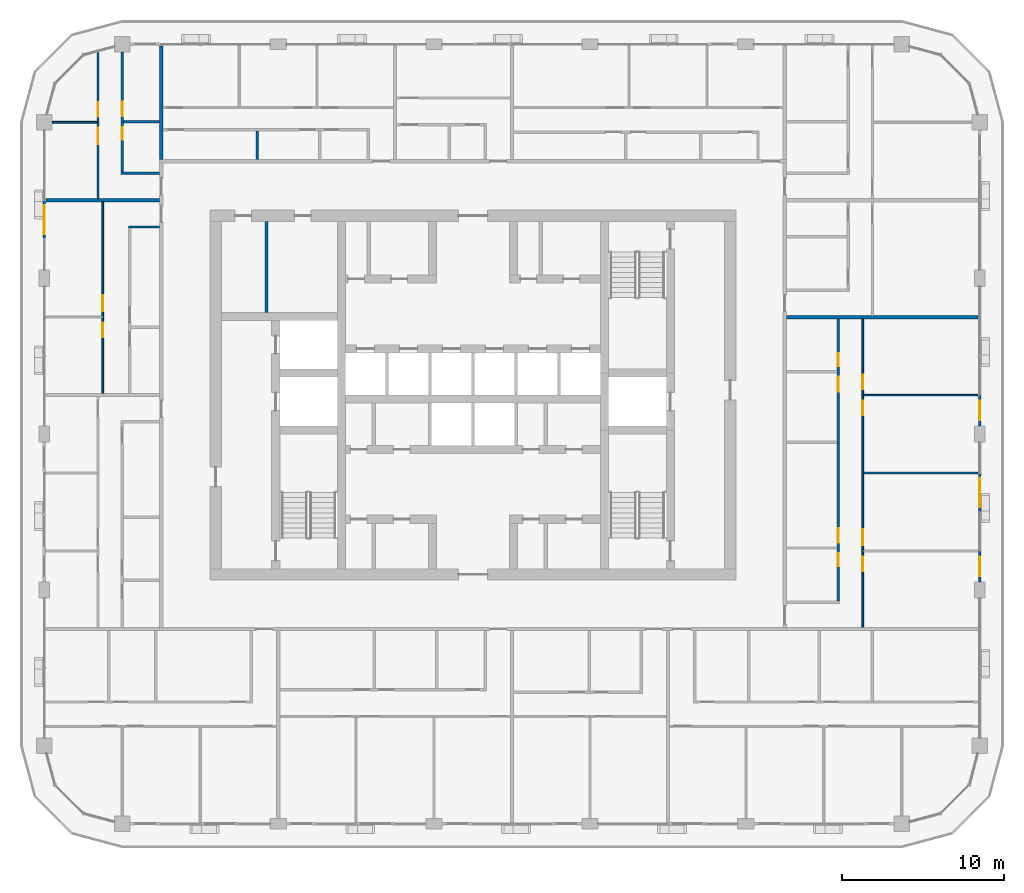
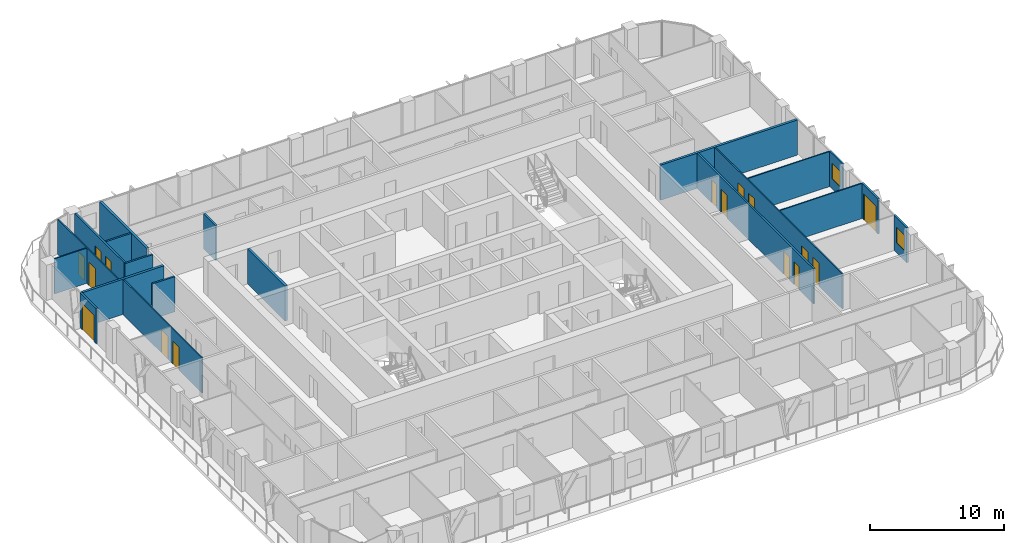
# One storey, part 13 of 22: 20 walls, 16 doors, 2 windows, 18 openings.
"""IFC4 building model written with IfcOpenShell, lengths in metres."""

from ifc_helpers import new_model, si_unit, direction, frame, frame_2d, origin, place, context, subcontext, project, spatial, rectangle, extrude, material, layer, layer_set, type_object, element, fill, save


model = new_model("IFC4")

# Units and contexts
model_context = context("Model", 3, precision=1e-05, world=origin(), true_north=direction((0.0, 1.0)))
body_context = subcontext(model_context, "Body", "Model", "MODEL_VIEW")
ifc_project = project(units=[si_unit("LENGTHUNIT", "METRE"), si_unit("AREAUNIT", "SQUARE_METRE"), si_unit("VOLUMEUNIT", "CUBIC_METRE"), si_unit("PLANEANGLEUNIT", "RADIAN"), si_unit("MASSUNIT", "GRAM", prefix="KILO")], contexts=[model_context])

# Site, building, storey
site_placement = place(None, origin())
site = spatial("IfcSite", under=ifc_project, at=site_placement, CompositionType="ELEMENT")
building_placement = place(site_placement, origin())
building = spatial("IfcBuilding", under=site, at=building_placement, Name="Madar Terraces", CompositionType="ELEMENT")
storey_placement = place(building_placement, frame((0.0, 0.0, 178.89990234375)))
storey = spatial("IfcBuildingStorey", under=building, at=storey_placement, Name="L46", CompositionType="ELEMENT", Elevation=178.89990234375)

# Wall
ifc_material_1 = material(Name="Masonry blockwork", Category="masonry")
ifc_layer_1 = layer(ifc_material_1, 0.199951171875)
ifc_layer_set_1 = layer_set([ifc_layer_1], Name="Core partition 200 blockwork")
wall_type_1 = type_object("IfcWallType", Name="Core partition 200 blockwork", PredefinedType="PARTITIONING", material=ifc_layer_set_1)
wall_1_placement = place(storey_placement, frame((18.488525390625, 31.5, 0.0), z_axis=(0.0, 0.0, 1.0), x_axis=(0.0, 1.0, 0.0)))
element("IfcWall", 1, at=wall_1_placement, inside=storey, type_object=wall_type_1, Name="SERVICE ROOM PARTITION", PredefinedType="PARTITIONING", context=body_context, shape_type="SweptSolid", body=[
    extrude(rectangle(XDim=5.60009765625, YDim=0.199951171875, at=frame_2d((2.800048828125, 0.0))), origin(), (0.0, 0.0, 1.0), 3.2001953125),
])

# Wall, opening, window
ifc_material_2 = material(Name="Aluminium composite panel, black, over insulated backing", Category="aluminium")
ifc_layer_2 = layer(ifc_material_2, 0.14990234375)
ifc_layer_set_2 = layer_set([ifc_layer_2], Name="Facade bay panel 150")
wall_type_2 = type_object("IfcWallType", Name="Facade bay panel 150", PredefinedType="SOLIDWALL", material=ifc_layer_set_2)
wall_2_placement = place(storey_placement, frame((62.39990234375, 14.89990234375, 0.0), z_axis=(0.0, 0.0, 1.0), x_axis=(0.0, 1.0, 0.0)))
wall_2 = element("IfcWall", 2, at=wall_2_placement, inside=storey, type_object=wall_type_2, Name="Facade bay panel", PredefinedType="SOLIDWALL", context=body_context, shape_type="SweptSolid", body=[
    extrude(rectangle(XDim=1.900146484375, YDim=0.14990234375, at=frame_2d((0.9501953125, 0.0))), origin(), (0.0, 0.0, 1.0), 3.2001953125),
])
opening_1_placement = place(wall_2_placement, frame((0.35009765625, 0.0, 0.89990234375)))
opening_1 = element("IfcOpeningElement", 3, at=opening_1_placement, cuts=wall_2, Name="Opening W1", PredefinedType="OPENING", context=body_context, shape_type="SweptSolid", body=[
    extrude(rectangle(XDim=1.199951171875, YDim=1.39990234375, at=frame_2d((0.60009765625, 0.699951171875))), frame((0.0, 0.0849609375, 0.0), z_axis=(0.0, -1.0, 0.0), x_axis=(1.0, 0.0, 0.0)), (0.0, 0.0, 1.0), 0.169921875),
])
ifc_material_3 = material(Name="Glass, clear, with black aluminium frame", Category="aluminium")
window_type = type_object("IfcWindowType", Name="Vent window 1200 x 1400", PartitioningType="SINGLE_PANEL", PredefinedType="WINDOW", material=ifc_material_3)
window_1_placement = place(opening_1_placement, origin())
window_1 = element("IfcWindow", 4, at=window_1_placement, inside=storey, type_object=window_type, Name="Operable vent window", OverallHeight=1.39990234375, OverallWidth=1.199951171875, PartitioningType="SINGLE_PANEL", PredefinedType="WINDOW", context=body_context, shape_type="SweptSolid", body=[
    extrude(rectangle(XDim=1.199951171875, YDim=1.39990234375, at=frame_2d((0.60009765625, 0.699951171875))), frame((0.0, 0.030029296875, 0.0), z_axis=(0.0, -1.0, 0.0), x_axis=(1.0, 0.0, 0.0)), (0.0, 0.0, 1.0), 0.06005859375),
])
fill(opening_1, window_1)

# Wall, opening, door
wall_3_placement = place(storey_placement, frame((62.39990234375, 19.199951171875, 0.0), z_axis=(0.0, 0.0, 1.0), x_axis=(0.0, 1.0, 0.0)))
wall_3 = element("IfcWall", 5, at=wall_3_placement, inside=storey, type_object=wall_type_2, Name="Facade bay panel", PredefinedType="SOLIDWALL", context=body_context, shape_type="SweptSolid", body=[
    extrude(rectangle(XDim=2.400146484375, YDim=0.14990234375, at=frame_2d((1.2001953125, 0.0))), origin(), (0.0, 0.0, 1.0), 3.2001953125),
])
opening_2_placement = place(wall_3_placement, frame((0.300048828125, 0.0, 0.0)))
opening_2 = element("IfcOpeningElement", 6, at=opening_2_placement, cuts=wall_3, Name="Opening ED1", PredefinedType="OPENING", context=body_context, shape_type="SweptSolid", body=[
    extrude(rectangle(XDim=1.800048828125, YDim=2.39990234375, at=frame_2d((0.89990234375, 1.199951171875))), frame((0.0, 0.0849609375, 0.0), z_axis=(0.0, -1.0, 0.0), x_axis=(1.0, 0.0, 0.0)), (0.0, 0.0, 1.0), 0.169921875),
])
ifc_material_4 = material(Name="Glass, clear, with black aluminium frame", Category="aluminium")
door_type_1 = type_object("IfcDoorType", Name="Balcony and terrace sliding door 1800 x 2400", OperationType="SLIDING_TO_LEFT", PredefinedType="DOOR", material=ifc_material_4)
door_1_placement = place(opening_2_placement, origin())
door_1 = element("IfcDoor", 7, at=door_1_placement, inside=storey, type_object=door_type_1, Name="Balcony door", OperationType="SLIDING_TO_RIGHT", OverallHeight=2.39990234375, OverallWidth=1.800048828125, PredefinedType="DOOR", context=body_context, shape_type="SweptSolid", body=[
    extrude(rectangle(XDim=1.800048828125, YDim=2.39990234375, at=frame_2d((0.89990234375, 1.199951171875))), frame((0.0, 0.02490234375, 0.0), z_axis=(0.0, -1.0, 0.0), x_axis=(1.0, 0.0, 0.0)), (0.0, 0.0, 1.0), 0.050048828125),
])
fill(opening_2, door_1)

# Wall, opening, window
wall_4_placement = place(storey_placement, frame((62.39990234375, 24.5, 0.0), z_axis=(0.0, 0.0, 1.0), x_axis=(0.0, 1.0, 0.0)))
wall_4 = element("IfcWall", 8, at=wall_4_placement, inside=storey, type_object=wall_type_2, Name="Facade bay panel", PredefinedType="SOLIDWALL", context=body_context, shape_type="SweptSolid", body=[
    extrude(rectangle(XDim=1.89990234375, YDim=0.14990234375, at=frame_2d((0.949951171875, 0.0))), origin(), (0.0, 0.0, 1.0), 3.2001953125),
])
opening_3_placement = place(wall_4_placement, frame((0.35009765625, 0.0, 0.89990234375)))
opening_3 = element("IfcOpeningElement", 9, at=opening_3_placement, cuts=wall_4, Name="Opening W1", PredefinedType="OPENING", context=body_context, shape_type="SweptSolid", body=[
    extrude(rectangle(XDim=1.199951171875, YDim=1.39990234375, at=frame_2d((0.60009765625, 0.699951171875))), frame((0.0, 0.0849609375, 0.0), z_axis=(0.0, -1.0, 0.0), x_axis=(1.0, 0.0, 0.0)), (0.0, 0.0, 1.0), 0.169921875),
])
window_2_placement = place(opening_3_placement, origin())
window_2 = element("IfcWindow", 10, at=window_2_placement, inside=storey, type_object=window_type, Name="Operable vent window", OverallHeight=1.39990234375, OverallWidth=1.199951171875, PartitioningType="SINGLE_PANEL", PredefinedType="WINDOW", context=body_context, shape_type="SweptSolid", body=[
    extrude(rectangle(XDim=1.199951171875, YDim=1.39990234375, at=frame_2d((0.60009765625, 0.699951171875))), frame((0.0, 0.030029296875, 0.0), z_axis=(0.0, -1.0, 0.0), x_axis=(1.0, 0.0, 0.0)), (0.0, 0.0, 1.0), 0.06005859375),
])
fill(opening_3, window_2)

# Wall, opening, door
wall_5_placement = place(storey_placement, frame((4.800048828125, 38.39990234375, 0.0), z_axis=(0.0, 0.0, 1.0), x_axis=(0.0, -1.0, 0.0)))
wall_5 = element("IfcWall", 11, at=wall_5_placement, inside=storey, type_object=wall_type_2, Name="Facade bay panel", PredefinedType="SOLIDWALL", context=body_context, shape_type="SweptSolid", body=[
    extrude(rectangle(XDim=2.39990234375, YDim=0.14990234375, at=frame_2d((1.199951171875, 0.0))), origin(), (0.0, 0.0, 1.0), 3.2001953125),
])
opening_4_placement = place(wall_5_placement, frame((0.300048828125, 0.0, 0.0)))
opening_4 = element("IfcOpeningElement", 12, at=opening_4_placement, cuts=wall_5, Name="Opening ED1", PredefinedType="OPENING", context=body_context, shape_type="SweptSolid", body=[
    extrude(rectangle(XDim=1.800048828125, YDim=2.39990234375, at=frame_2d((0.89990234375, 1.199951171875))), frame((0.0, 0.0849609375, 0.0), z_axis=(0.0, -1.0, 0.0), x_axis=(1.0, 0.0, 0.0)), (0.0, 0.0, 1.0), 0.169921875),
])
door_2_placement = place(opening_4_placement, origin())
door_2 = element("IfcDoor", 13, at=door_2_placement, inside=storey, type_object=door_type_1, Name="Balcony door", OperationType="SLIDING_TO_RIGHT", OverallHeight=2.39990234375, OverallWidth=1.800048828125, PredefinedType="DOOR", context=body_context, shape_type="SweptSolid", body=[
    extrude(rectangle(XDim=1.800048828125, YDim=2.39990234375, at=frame_2d((0.89990234375, 1.199951171875))), frame((0.0, 0.02490234375, 0.0), z_axis=(0.0, -1.0, 0.0), x_axis=(1.0, 0.0, 0.0)), (0.0, 0.0, 1.0), 0.050048828125),
])
fill(opening_4, door_2)

# Walls
ifc_material_5 = material(Name="Gypsum board on steel studs", Category="steel")
ifc_layer_3 = layer(ifc_material_5, 0.10009765625)
ifc_layer_set_3 = layer_set([ifc_layer_3], Name="Flat partition 100")
wall_type_3 = type_object("IfcWallType", Name="Flat partition 100", PredefinedType="PARTITIONING", material=ifc_layer_set_3)
for number, where, z_axis, x_axis, name in (
    (14, (55.25, 21.60009765625, 0.0), (0.0, 0.0, 1.0), (1.0, 0.0, 0.0), "Flat partition 100"),
    (15, (55.25, 26.39990234375, 0.0), (0.0, 0.0, 1.0), (1.0, 0.0, 0.0), "Flat partition 100"),
):
    element("IfcWall", number, at=place(storey_placement, frame(where, z_axis=z_axis, x_axis=x_axis)), inside=storey, type_object=wall_type_3, Name=name, PredefinedType="PARTITIONING", context=body_context, shape_type="SweptSolid", body=[
        extrude(rectangle(XDim=7.050048828125, YDim=0.10009765625, at=frame_2d((3.52490234375, 0.0))), origin(), (0.0, 0.0, 1.0), 3.2001953125),
    ])

# Wall, openings, doors
wall_6_placement = place(storey_placement, frame((55.199951171875, 31.10009765625, 0.0), z_axis=(0.0, 0.0, 1.0), x_axis=(0.0, -1.0, 0.0)))
wall_6 = element("IfcWall", 16, at=wall_6_placement, inside=storey, type_object=wall_type_3, Name="Flat partition 100", PredefinedType="PARTITIONING", context=body_context, shape_type="SweptSolid", body=[
    extrude(rectangle(XDim=19.0, YDim=0.10009765625, at=frame_2d((9.5, 0.0))), origin(), (0.0, 0.0, 1.0), 3.2001953125),
])
opening_5_placement = place(wall_6_placement, frame((14.64990234375, 0.0, 0.0)))
opening_5 = element("IfcOpeningElement", 17, at=opening_5_placement, cuts=wall_6, Name="Opening D2", PredefinedType="OPENING", context=body_context, shape_type="SweptSolid", body=[
    extrude(rectangle(XDim=0.89990234375, YDim=2.10009765625, at=frame_2d((0.449951171875, 1.050048828125))), frame((0.0, 0.06005859375, 0.0), z_axis=(0.0, -1.0, 0.0), x_axis=(1.0, 0.0, 0.0)), (0.0, 0.0, 1.0), 0.1201171875),
])
opening_6_placement = place(wall_6_placement, frame((12.949951171875, 0.0, 0.0)))
opening_6 = element("IfcOpeningElement", 18, at=opening_6_placement, cuts=wall_6, Name="Opening D3", PredefinedType="OPENING", context=body_context, shape_type="SweptSolid", body=[
    extrude(rectangle(XDim=1.0, YDim=2.10009765625, at=frame_2d((0.5, 1.050048828125))), frame((0.0, 0.06005859375, 0.0), z_axis=(0.0, -1.0, 0.0), x_axis=(1.0, 0.0, 0.0)), (0.0, 0.0, 1.0), 0.1201171875),
])
opening_7_placement = place(wall_6_placement, frame((5.050048828125, 0.0, 0.0)))
opening_7 = element("IfcOpeningElement", 19, at=opening_7_placement, cuts=wall_6, Name="Opening D2", PredefinedType="OPENING", context=body_context, shape_type="SweptSolid", body=[
    extrude(rectangle(XDim=0.89990234375, YDim=2.10009765625, at=frame_2d((0.449951171875, 1.050048828125))), frame((0.0, 0.06005859375, 0.0), z_axis=(0.0, -1.0, 0.0), x_axis=(1.0, 0.0, 0.0)), (0.0, 0.0, 1.0), 0.1201171875),
])
opening_8_placement = place(wall_6_placement, frame((3.449951171875, 0.0, 0.0)))
opening_8 = element("IfcOpeningElement", 20, at=opening_8_placement, cuts=wall_6, Name="Opening D2", PredefinedType="OPENING", context=body_context, shape_type="SweptSolid", body=[
    extrude(rectangle(XDim=0.89990234375, YDim=2.10009765625, at=frame_2d((0.449951171875, 1.050048828125))), frame((0.0, 0.06005859375, 0.0), z_axis=(0.0, -1.0, 0.0), x_axis=(1.0, 0.0, 0.0)), (0.0, 0.0, 1.0), 0.1201171875),
])
ifc_material_6 = material(Name="Timber door leaf", Category="wood")
door_type_2 = type_object("IfcDoorType", Name="Flat living room door 1000", OperationType="NOTDEFINED", PredefinedType="DOOR", material=ifc_material_6)
door_3_placement = place(opening_6_placement, origin())
door_3 = element("IfcDoor", 21, at=door_3_placement, inside=storey, type_object=door_type_2, Name="Flat living room door 1000", OperationType="SINGLE_SWING_RIGHT", OverallHeight=2.10009765625, OverallWidth=1.0, PredefinedType="DOOR", context=body_context, shape_type="SweptSolid", body=[
    extrude(rectangle(XDim=1.0, YDim=2.10009765625, at=frame_2d((0.5, 1.050048828125))), frame((0.0, 0.02490234375, 0.0), z_axis=(0.0, -1.0, 0.0), x_axis=(1.0, 0.0, 0.0)), (0.0, 0.0, 1.0), 0.050048828125),
])
fill(opening_6, door_3)
ifc_material_7 = material(Name="Timber door leaf", Category="wood")
door_type_3 = type_object("IfcDoorType", Name="Flat room door 900", OperationType="NOTDEFINED", PredefinedType="DOOR", material=ifc_material_7)
door_4_placement = place(opening_5_placement, origin())
door_4 = element("IfcDoor", 22, at=door_4_placement, inside=storey, type_object=door_type_3, Name="Flat room door 900", OperationType="SINGLE_SWING_LEFT", OverallHeight=2.10009765625, OverallWidth=0.89990234375, PredefinedType="DOOR", context=body_context, shape_type="SweptSolid", body=[
    extrude(rectangle(XDim=0.89990234375, YDim=2.10009765625, at=frame_2d((0.449951171875, 1.050048828125))), frame((0.0, 0.02490234375, 0.0), z_axis=(0.0, -1.0, 0.0), x_axis=(1.0, 0.0, 0.0)), (0.0, 0.0, 1.0), 0.050048828125),
])
fill(opening_5, door_4)
door_5_placement = place(opening_7_placement, origin())
door_5 = element("IfcDoor", 23, at=door_5_placement, inside=storey, type_object=door_type_3, Name="Flat room door 900", OperationType="SINGLE_SWING_LEFT", OverallHeight=2.10009765625, OverallWidth=0.89990234375, PredefinedType="DOOR", context=body_context, shape_type="SweptSolid", body=[
    extrude(rectangle(XDim=0.89990234375, YDim=2.10009765625, at=frame_2d((0.449951171875, 1.050048828125))), frame((0.0, 0.02490234375, 0.0), z_axis=(0.0, -1.0, 0.0), x_axis=(1.0, 0.0, 0.0)), (0.0, 0.0, 1.0), 0.050048828125),
])
fill(opening_7, door_5)
door_6_placement = place(opening_8_placement, origin())
door_6 = element("IfcDoor", 24, at=door_6_placement, inside=storey, type_object=door_type_3, Name="Flat room door 900", OperationType="SINGLE_SWING_RIGHT", OverallHeight=2.10009765625, OverallWidth=0.89990234375, PredefinedType="DOOR", context=body_context, shape_type="SweptSolid", body=[
    extrude(rectangle(XDim=0.89990234375, YDim=2.10009765625, at=frame_2d((0.449951171875, 1.050048828125))), frame((0.0, 0.02490234375, 0.0), z_axis=(0.0, -1.0, 0.0), x_axis=(1.0, 0.0, 0.0)), (0.0, 0.0, 1.0), 0.050048828125),
])
fill(opening_8, door_6)

# Wall
wall_7_placement = place(storey_placement, frame((8.050048828125, 43.199951171875, 0.0), z_axis=(0.0, 0.0, 1.0), x_axis=(-1.0, 0.0, 0.0)))
element("IfcWall", 25, at=wall_7_placement, inside=storey, type_object=wall_type_3, Name="Flat partition 100", PredefinedType="PARTITIONING", context=body_context, shape_type="SweptSolid", body=[
    extrude(rectangle(XDim=2.775146484375, YDim=0.10009765625, at=frame_2d((1.3876953125, 0.0))), origin(), (0.0, 0.0, 1.0), 3.2001953125),
])

# Wall, openings, doors
wall_8_placement = place(storey_placement, frame((8.10009765625, 38.5, 0.0), z_axis=(0.0, 0.0, 1.0), x_axis=(0.0, 1.0, 0.0)))
wall_8 = element("IfcWall", 26, at=wall_8_placement, inside=storey, type_object=wall_type_3, Name="Flat partition 100", PredefinedType="PARTITIONING", context=body_context, shape_type="SweptSolid", body=[
    extrude(rectangle(XDim=8.998046875, YDim=0.10009765625, at=frame_2d((4.4990234375, 0.0))), origin(), (0.0, 0.0, 1.0), 3.2001953125),
])
opening_9_placement = place(wall_8_placement, frame((3.35009765625, 0.0, 0.0)))
opening_9 = element("IfcOpeningElement", 27, at=opening_9_placement, cuts=wall_8, Name="Opening D3", PredefinedType="OPENING", context=body_context, shape_type="SweptSolid", body=[
    extrude(rectangle(XDim=1.0, YDim=2.10009765625, at=frame_2d((0.5, 1.050048828125))), frame((0.0, 0.06005859375, 0.0), z_axis=(0.0, -1.0, 0.0), x_axis=(1.0, 0.0, 0.0)), (0.0, 0.0, 1.0), 0.1201171875),
])
opening_10_placement = place(wall_8_placement, frame((5.050048828125, 0.0, 0.0)))
opening_10 = element("IfcOpeningElement", 28, at=opening_10_placement, cuts=wall_8, Name="Opening D2", PredefinedType="OPENING", context=body_context, shape_type="SweptSolid", body=[
    extrude(rectangle(XDim=0.89990234375, YDim=2.10009765625, at=frame_2d((0.449951171875, 1.050048828125))), frame((0.0, 0.06005859375, 0.0), z_axis=(0.0, -1.0, 0.0), x_axis=(1.0, 0.0, 0.0)), (0.0, 0.0, 1.0), 0.1201171875),
])
door_7_placement = place(opening_9_placement, origin())
door_7 = element("IfcDoor", 29, at=door_7_placement, inside=storey, type_object=door_type_2, Name="Flat living room door 1000", OperationType="SINGLE_SWING_RIGHT", OverallHeight=2.10009765625, OverallWidth=1.0, PredefinedType="DOOR", context=body_context, shape_type="SweptSolid", body=[
    extrude(rectangle(XDim=1.0, YDim=2.10009765625, at=frame_2d((0.5, 1.050048828125))), frame((0.0, 0.02490234375, 0.0), z_axis=(0.0, -1.0, 0.0), x_axis=(1.0, 0.0, 0.0)), (0.0, 0.0, 1.0), 0.050048828125),
])
fill(opening_9, door_7)
door_8_placement = place(opening_10_placement, origin())
door_8 = element("IfcDoor", 30, at=door_8_placement, inside=storey, type_object=door_type_3, Name="Flat room door 900", OperationType="SINGLE_SWING_LEFT", OverallHeight=2.10009765625, OverallWidth=0.89990234375, PredefinedType="DOOR", context=body_context, shape_type="SweptSolid", body=[
    extrude(rectangle(XDim=0.89990234375, YDim=2.10009765625, at=frame_2d((0.449951171875, 1.050048828125))), frame((0.0, 0.02490234375, 0.0), z_axis=(0.0, -1.0, 0.0), x_axis=(1.0, 0.0, 0.0)), (0.0, 0.0, 1.0), 0.050048828125),
])
fill(opening_10, door_8)

wall_9_placement = place(storey_placement, frame((8.39990234375, 26.5, 0.0), z_axis=(0.0, 0.0, 1.0), x_axis=(0.0, 1.0, 0.0)))
wall_9 = element("IfcWall", 31, at=wall_9_placement, inside=storey, type_object=wall_type_3, Name="Flat partition 100", PredefinedType="PARTITIONING", context=body_context, shape_type="SweptSolid", body=[
    extrude(rectangle(XDim=11.800048828125, YDim=0.10009765625, at=frame_2d((5.89990234375, 0.0))), origin(), (0.0, 0.0, 1.0), 3.2001953125),
])
opening_11_placement = place(wall_9_placement, frame((5.050048828125, 0.0, 0.0)))
opening_11 = element("IfcOpeningElement", 32, at=opening_11_placement, cuts=wall_9, Name="Opening D3", PredefinedType="OPENING", context=body_context, shape_type="SweptSolid", body=[
    extrude(rectangle(XDim=1.0, YDim=2.10009765625, at=frame_2d((0.5, 1.050048828125))), frame((0.0, 0.06005859375, 0.0), z_axis=(0.0, -1.0, 0.0), x_axis=(1.0, 0.0, 0.0)), (0.0, 0.0, 1.0), 0.1201171875),
])
opening_12_placement = place(wall_9_placement, frame((3.449951171875, 0.0, 0.0)))
opening_12 = element("IfcOpeningElement", 33, at=opening_12_placement, cuts=wall_9, Name="Opening D2", PredefinedType="OPENING", context=body_context, shape_type="SweptSolid", body=[
    extrude(rectangle(XDim=0.89990234375, YDim=2.10009765625, at=frame_2d((0.449951171875, 1.050048828125))), frame((0.0, 0.06005859375, 0.0), z_axis=(0.0, -1.0, 0.0), x_axis=(1.0, 0.0, 0.0)), (0.0, 0.0, 1.0), 0.1201171875),
])
door_9_placement = place(opening_11_placement, origin())
door_9 = element("IfcDoor", 34, at=door_9_placement, inside=storey, type_object=door_type_2, Name="Flat living room door 1000", OperationType="SINGLE_SWING_LEFT", OverallHeight=2.10009765625, OverallWidth=1.0, PredefinedType="DOOR", context=body_context, shape_type="SweptSolid", body=[
    extrude(rectangle(XDim=1.0, YDim=2.10009765625, at=frame_2d((0.5, 1.050048828125))), frame((0.0, 0.02490234375, 0.0), z_axis=(0.0, -1.0, 0.0), x_axis=(1.0, 0.0, 0.0)), (0.0, 0.0, 1.0), 0.050048828125),
])
fill(opening_11, door_9)
door_10_placement = place(opening_12_placement, origin())
door_10 = element("IfcDoor", 35, at=door_10_placement, inside=storey, type_object=door_type_3, Name="Flat room door 900", OperationType="SINGLE_SWING_RIGHT", OverallHeight=2.10009765625, OverallWidth=0.89990234375, PredefinedType="DOOR", context=body_context, shape_type="SweptSolid", body=[
    extrude(rectangle(XDim=0.89990234375, YDim=2.10009765625, at=frame_2d((0.449951171875, 1.050048828125))), frame((0.0, 0.02490234375, 0.0), z_axis=(0.0, -1.0, 0.0), x_axis=(1.0, 0.0, 0.0)), (0.0, 0.0, 1.0), 0.050048828125),
])
fill(opening_12, door_10)

# Walls
ifc_material_8 = material(Name="Lightweight blockwork", Category="masonry")
ifc_layer_4 = layer(ifc_material_8, 0.199951171875)
ifc_layer_set_4 = layer_set([ifc_layer_4], Name="Flat party and entrance wall 200")
wall_type_4 = type_object("IfcWallType", Name="Flat party and entrance wall 200", PredefinedType="PARTITIONING", material=ifc_layer_set_4)
wall_10_placement = place(storey_placement, frame((50.5, 31.199951171875, 0.0), z_axis=(0.0, 0.0, 1.0), x_axis=(1.0, 0.0, 0.0)))
element("IfcWall", 36, at=wall_10_placement, inside=storey, type_object=wall_type_4, Name="Flat party and entrance wall 200", PredefinedType="PARTITIONING", context=body_context, shape_type="SweptSolid", body=[
    extrude(rectangle(XDim=11.800048828125, YDim=0.199951171875, at=frame_2d((5.89990234375, 0.0))), origin(), (0.0, 0.0, 1.0), 3.2001953125),
])
for number, where, z_axis, x_axis, name in (
    (37, (12.0, 47.89990234375, 0.0), (0.0, 0.0, 1.0), (0.0, -1.0, 0.0), "Flat party and entrance wall 200"),
    (38, (4.89990234375, 38.39990234375, 0.0), (0.0, 0.0, 1.0), (1.0, 0.0, 0.0), "Flat party and entrance wall 200"),
):
    element("IfcWall", number, at=place(storey_placement, frame(where, z_axis=z_axis, x_axis=x_axis)), inside=storey, type_object=wall_type_4, Name=name, PredefinedType="PARTITIONING", context=body_context, shape_type="SweptSolid", body=[
        extrude(rectangle(XDim=7.0, YDim=0.199951171875, at=frame_2d((3.5, 0.0))), origin(), (0.0, 0.0, 1.0), 3.2001953125),
    ])

# Wall, openings, doors
ifc_material_9 = material(Name="Lightweight blockwork", Category="masonry")
ifc_layer_5 = layer(ifc_material_9, 0.14990234375)
ifc_layer_set_5 = layer_set([ifc_layer_5], Name="Flat wet-room partition 150")
wall_type_5 = type_object("IfcWallType", Name="Flat wet-room partition 150", PredefinedType="PARTITIONING", material=ifc_layer_set_5)
wall_11_placement = place(storey_placement, frame((53.699951171875, 13.72509765625, 0.0), z_axis=(0.0, 0.0, 1.0), x_axis=(0.0, 1.0, 0.0)))
wall_11 = element("IfcWall", 39, at=wall_11_placement, inside=storey, type_object=wall_type_5, Name="Flat wet-room partition 150", PredefinedType="PARTITIONING", context=body_context, shape_type="SweptSolid", body=[
    extrude(rectangle(XDim=17.375, YDim=0.14990234375, at=frame_2d((8.6875, 0.0))), origin(), (0.0, 0.0, 1.0), 3.2001953125),
])
opening_13_placement = place(wall_11_placement, frame((2.1328125, 0.0, 0.0)))
opening_13 = element("IfcOpeningElement", 40, at=opening_13_placement, cuts=wall_11, Name="Opening D7", PredefinedType="OPENING", context=body_context, shape_type="SweptSolid", body=[
    extrude(rectangle(XDim=0.800048828125, YDim=2.10009765625, at=frame_2d((0.39990234375, 1.050048828125))), frame((0.0, 0.0849609375, 0.0), z_axis=(0.0, -1.0, 0.0), x_axis=(1.0, 0.0, 0.0)), (0.0, 0.0, 1.0), 0.169921875),
])
opening_14_placement = place(wall_11_placement, frame((3.582763671875, 0.0, 0.0)))
opening_14 = element("IfcOpeningElement", 41, at=opening_14_placement, cuts=wall_11, Name="Opening D2", PredefinedType="OPENING", context=body_context, shape_type="SweptSolid", body=[
    extrude(rectangle(XDim=0.89990234375, YDim=2.10009765625, at=frame_2d((0.449951171875, 1.050048828125))), frame((0.0, 0.0849609375, 0.0), z_axis=(0.0, -1.0, 0.0), x_axis=(1.0, 0.0, 0.0)), (0.0, 0.0, 1.0), 0.169921875),
])
opening_15_placement = place(wall_11_placement, frame((12.89208984375, 0.0, 0.0)))
opening_15 = element("IfcOpeningElement", 42, at=opening_15_placement, cuts=wall_11, Name="Opening D5", PredefinedType="OPENING", context=body_context, shape_type="SweptSolid", body=[
    extrude(rectangle(XDim=0.89990234375, YDim=2.10009765625, at=frame_2d((0.449951171875, 1.050048828125))), frame((0.0, 0.0849609375, 0.0), z_axis=(0.0, -1.0, 0.0), x_axis=(1.0, 0.0, 0.0)), (0.0, 0.0, 1.0), 0.169921875),
])
opening_16_placement = place(wall_11_placement, frame((14.442138671875, 0.0, 0.0)))
opening_16 = element("IfcOpeningElement", 43, at=opening_16_placement, cuts=wall_11, Name="Opening D4", PredefinedType="OPENING", context=body_context, shape_type="SweptSolid", body=[
    extrude(rectangle(XDim=0.800048828125, YDim=2.10009765625, at=frame_2d((0.39990234375, 1.050048828125))), frame((0.0, 0.0849609375, 0.0), z_axis=(0.0, -1.0, 0.0), x_axis=(1.0, 0.0, 0.0)), (0.0, 0.0, 1.0), 0.169921875),
])
ifc_material_10 = material(Name="Timber door leaf", Category="wood")
door_type_4 = type_object("IfcDoorType", Name="Flat accessible bathroom door 900", OperationType="NOTDEFINED", PredefinedType="DOOR", material=ifc_material_10)
door_11_placement = place(opening_15_placement, origin())
door_11 = element("IfcDoor", 44, at=door_11_placement, inside=storey, type_object=door_type_4, Name="Flat accessible bathroom door 900", OperationType="SINGLE_SWING_RIGHT", OverallHeight=2.10009765625, OverallWidth=0.89990234375, PredefinedType="DOOR", context=body_context, shape_type="SweptSolid", body=[
    extrude(rectangle(XDim=0.89990234375, YDim=2.10009765625, at=frame_2d((0.449951171875, 1.050048828125))), frame((0.0, 0.02490234375, 0.0), z_axis=(0.0, -1.0, 0.0), x_axis=(1.0, 0.0, 0.0)), (0.0, 0.0, 1.0), 0.050048828125),
])
fill(opening_15, door_11)
ifc_material_11 = material(Name="Timber door leaf", Category="wood")
door_type_5 = type_object("IfcDoorType", Name="Flat bathroom door 800", OperationType="NOTDEFINED", PredefinedType="DOOR", material=ifc_material_11)
door_12_placement = place(opening_16_placement, origin())
door_12 = element("IfcDoor", 45, at=door_12_placement, inside=storey, type_object=door_type_5, Name="Flat bathroom door 800", OperationType="SINGLE_SWING_LEFT", OverallHeight=2.10009765625, OverallWidth=0.800048828125, PredefinedType="DOOR", context=body_context, shape_type="SweptSolid", body=[
    extrude(rectangle(XDim=0.800048828125, YDim=2.10009765625, at=frame_2d((0.39990234375, 1.050048828125))), frame((0.0, 0.02490234375, 0.0), z_axis=(0.0, -1.0, 0.0), x_axis=(1.0, 0.0, 0.0)), (0.0, 0.0, 1.0), 0.050048828125),
])
fill(opening_16, door_12)
door_13_placement = place(opening_14_placement, origin())
door_13 = element("IfcDoor", 46, at=door_13_placement, inside=storey, type_object=door_type_3, Name="Flat room door 900", OperationType="SINGLE_SWING_LEFT", OverallHeight=2.10009765625, OverallWidth=0.89990234375, PredefinedType="DOOR", context=body_context, shape_type="SweptSolid", body=[
    extrude(rectangle(XDim=0.89990234375, YDim=2.10009765625, at=frame_2d((0.449951171875, 1.050048828125))), frame((0.0, 0.02490234375, 0.0), z_axis=(0.0, -1.0, 0.0), x_axis=(1.0, 0.0, 0.0)), (0.0, 0.0, 1.0), 0.050048828125),
])
fill(opening_14, door_13)
ifc_material_12 = material(Name="Timber door leaf", Category="wood")
door_type_6 = type_object("IfcDoorType", Name="Flat utility door 800", OperationType="NOTDEFINED", PredefinedType="DOOR", material=ifc_material_12)
door_14_placement = place(opening_13_placement, origin())
door_14 = element("IfcDoor", 47, at=door_14_placement, inside=storey, type_object=door_type_6, Name="Flat utility door 800", OperationType="SINGLE_SWING_RIGHT", OverallHeight=2.10009765625, OverallWidth=0.800048828125, PredefinedType="DOOR", context=body_context, shape_type="SweptSolid", body=[
    extrude(rectangle(XDim=0.800048828125, YDim=2.10009765625, at=frame_2d((0.39990234375, 1.050048828125))), frame((0.0, 0.02490234375, 0.0), z_axis=(0.0, -1.0, 0.0), x_axis=(1.0, 0.0, 0.0)), (0.0, 0.0, 1.0), 0.050048828125),
])
fill(opening_13, door_14)

# Walls
wall_12_placement = place(storey_placement, frame((17.90380859375, 40.89990234375, 0.0), z_axis=(0.0, 0.0, 1.0), x_axis=(0.0, 1.0, 0.0)))
element("IfcWall", 48, at=wall_12_placement, inside=storey, type_object=wall_type_5, Name="Flat wet-room partition 150", PredefinedType="PARTITIONING", context=body_context, shape_type="SweptSolid", body=[
    extrude(rectangle(XDim=1.775146484375, YDim=0.14990234375, at=frame_2d((0.8876953125, 0.0))), origin(), (0.0, 0.0, 1.0), 3.2001953125),
])
wall_13_placement = place(storey_placement, frame((11.89990234375, 43.235107421875, 0.0), z_axis=(0.0, 0.0, 1.0), x_axis=(-1.0, 0.0, 0.0)))
element("IfcWall", 49, at=wall_13_placement, inside=storey, type_object=wall_type_5, Name="Flat wet-room partition 150", PredefinedType="PARTITIONING", context=body_context, shape_type="SweptSolid", body=[
    extrude(rectangle(XDim=2.224853515625, YDim=0.14990234375, at=frame_2d((1.1123046875, 0.0))), origin(), (0.0, 0.0, 1.0), 3.2001953125),
])
wall_14_placement = place(storey_placement, frame((11.89990234375, 40.050048828125, 0.0), z_axis=(0.0, 0.0, 1.0), x_axis=(-1.0, 0.0, 0.0)))
element("IfcWall", 50, at=wall_14_placement, inside=storey, type_object=wall_type_5, Name="Flat wet-room partition 150", PredefinedType="PARTITIONING", context=body_context, shape_type="SweptSolid", body=[
    extrude(rectangle(XDim=2.375, YDim=0.14990234375, at=frame_2d((1.1875, 0.0))), origin(), (0.0, 0.0, 1.0), 3.2001953125),
])

# Wall, openings, doors
wall_15_placement = place(storey_placement, frame((9.60009765625, 47.52490234375, 0.0), z_axis=(0.0, 0.0, 1.0), x_axis=(0.0, -1.0, 0.0)))
wall_15 = element("IfcWall", 51, at=wall_15_placement, inside=storey, type_object=wall_type_5, Name="Flat wet-room partition 150", PredefinedType="PARTITIONING", context=body_context, shape_type="SweptSolid", body=[
    extrude(rectangle(XDim=7.39990234375, YDim=0.14990234375, at=frame_2d((3.699951171875, 0.0))), origin(), (0.0, 0.0, 1.0), 3.2001953125),
])
opening_17_placement = place(wall_15_placement, frame((4.614990234375, 0.0, 0.0)))
opening_17 = element("IfcOpeningElement", 52, at=opening_17_placement, cuts=wall_15, Name="Opening D4", PredefinedType="OPENING", context=body_context, shape_type="SweptSolid", body=[
    extrude(rectangle(XDim=0.800048828125, YDim=2.10009765625, at=frame_2d((0.39990234375, 1.050048828125))), frame((0.0, 0.0849609375, 0.0), z_axis=(0.0, -1.0, 0.0), x_axis=(1.0, 0.0, 0.0)), (0.0, 0.0, 1.0), 0.169921875),
])
opening_18_placement = place(wall_15_placement, frame((3.06494140625, 0.0, 0.0)))
opening_18 = element("IfcOpeningElement", 53, at=opening_18_placement, cuts=wall_15, Name="Opening D2", PredefinedType="OPENING", context=body_context, shape_type="SweptSolid", body=[
    extrude(rectangle(XDim=0.89990234375, YDim=2.10009765625, at=frame_2d((0.449951171875, 1.050048828125))), frame((0.0, 0.0849609375, 0.0), z_axis=(0.0, -1.0, 0.0), x_axis=(1.0, 0.0, 0.0)), (0.0, 0.0, 1.0), 0.169921875),
])
door_15_placement = place(opening_17_placement, origin())
door_15 = element("IfcDoor", 54, at=door_15_placement, inside=storey, type_object=door_type_5, Name="Flat bathroom door 800", OperationType="SINGLE_SWING_LEFT", OverallHeight=2.10009765625, OverallWidth=0.800048828125, PredefinedType="DOOR", context=body_context, shape_type="SweptSolid", body=[
    extrude(rectangle(XDim=0.800048828125, YDim=2.10009765625, at=frame_2d((0.39990234375, 1.050048828125))), frame((0.0, 0.02490234375, 0.0), z_axis=(0.0, -1.0, 0.0), x_axis=(1.0, 0.0, 0.0)), (0.0, 0.0, 1.0), 0.050048828125),
])
fill(opening_17, door_15)
door_16_placement = place(opening_18_placement, origin())
door_16 = element("IfcDoor", 55, at=door_16_placement, inside=storey, type_object=door_type_3, Name="Flat room door 900", OperationType="SINGLE_SWING_RIGHT", OverallHeight=2.10009765625, OverallWidth=0.89990234375, PredefinedType="DOOR", context=body_context, shape_type="SweptSolid", body=[
    extrude(rectangle(XDim=0.89990234375, YDim=2.10009765625, at=frame_2d((0.449951171875, 1.050048828125))), frame((0.0, 0.02490234375, 0.0), z_axis=(0.0, -1.0, 0.0), x_axis=(1.0, 0.0, 0.0)), (0.0, 0.0, 1.0), 0.050048828125),
])
fill(opening_18, door_16)

# Wall
wall_16_placement = place(storey_placement, frame((11.89990234375, 36.75, 0.0), z_axis=(0.0, 0.0, 1.0), x_axis=(-1.0, 0.0, 0.0)))
element("IfcWall", 56, at=wall_16_placement, inside=storey, type_object=wall_type_5, Name="Flat wet-room partition 150", PredefinedType="PARTITIONING", context=body_context, shape_type="SweptSolid", body=[
    extrude(rectangle(XDim=1.9248046875, YDim=0.14990234375, at=frame_2d((0.96240234375, 0.0))), origin(), (0.0, 0.0, 1.0), 3.2001953125),
])

save(model, "model.ifc")
